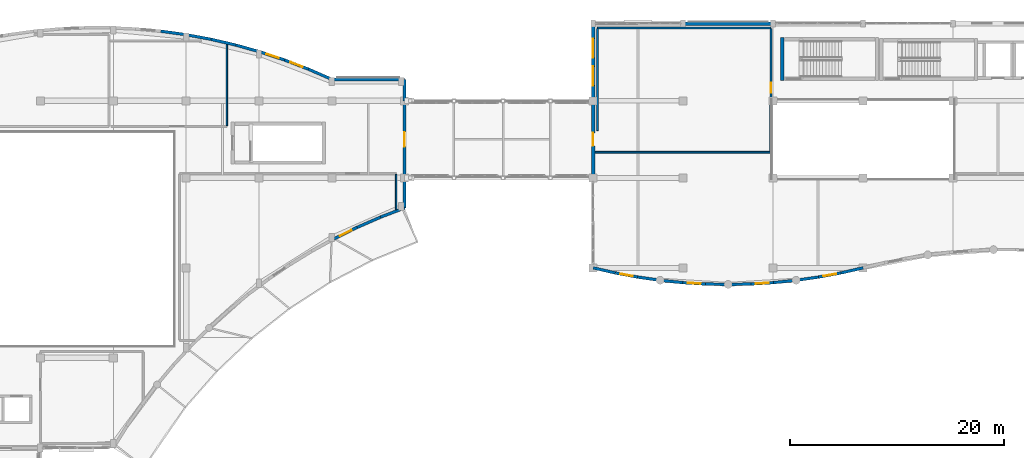
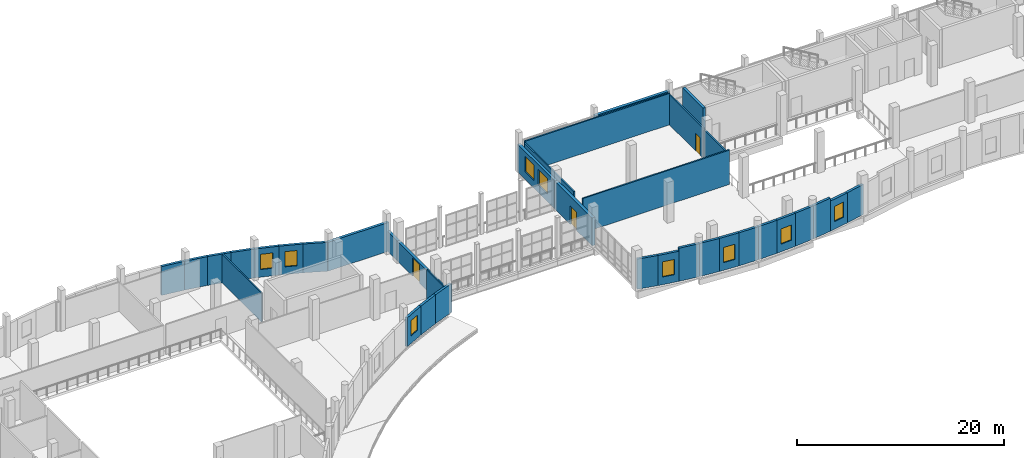
# One storey, part 87 of 106: 37 walls, 9 windows, 3 doors, 12 openings.
"""IFC4 building model written with IfcOpenShell, lengths in metres."""

from ifc_helpers import new_model, si_unit, direction, frame, frame_2d, origin, place, context, subcontext, project, spatial, rectangle, extrude, material, layer, layer_set, type_object, element, fill, save


model = new_model("IFC4")

# Units and contexts
model_context = context("Model", 3, precision=1e-05, world=origin(), true_north=direction((0.0, 1.0)))
body_context = subcontext(model_context, "Body", "Model", "MODEL_VIEW")
ifc_project = project(units=[si_unit("LENGTHUNIT", "METRE"), si_unit("AREAUNIT", "SQUARE_METRE"), si_unit("VOLUMEUNIT", "CUBIC_METRE"), si_unit("PLANEANGLEUNIT", "RADIAN"), si_unit("MASSUNIT", "GRAM", prefix="KILO")], contexts=[model_context])

# Site, building, storey
site_placement = place(None, origin())
site = spatial("IfcSite", under=ifc_project, at=site_placement, CompositionType="ELEMENT")
building_placement = place(site_placement, origin())
building = spatial("IfcBuilding", under=site, at=building_placement, Name="Kisaragi Civic Commons", CompositionType="ELEMENT")
storey_placement = place(building_placement, frame((0.0, 0.0, 4.800048828125)))
storey = spatial("IfcBuildingStorey", under=building, at=storey_placement, Name="L01", CompositionType="ELEMENT", Elevation=4.800048828125)

# Wall
ifc_material_1 = material(Name="Insulated Tokoname terracotta cavity wall", Category="masonry")
ifc_layer_1 = layer(ifc_material_1, 0.320068359375, Name="Insulated Tokoname terracotta cavity wall", Category="masonry")
ifc_layer_set_1 = layer_set([ifc_layer_1], Name="Insulated Tokoname terracotta cavity wall")
wall_type_1 = type_object("IfcWallType", Name="EW-01", PredefinedType="STANDARD", material=ifc_layer_set_1)
wall_1_placement = place(storey_placement, frame((80.39990234375, 118.800048828125, 0.0), z_axis=(0.0, 0.0, 1.0), x_axis=(1.0, 0.0, 0.0)))
element("IfcWall", 1, at=wall_1_placement, inside=storey, type_object=wall_type_1, Name="V4 L01 exterior terracotta wall EW-01 315", PredefinedType="STANDARD", context=body_context, shape_type="SweptSolid", body=[
    extrude(rectangle(XDim=8.400146484375, YDim=0.320068359375, at=frame_2d((4.2001953125, 0.0))), origin(), (0.0, 0.0, 1.0), 3.704833984375),
])

# Wall, opening, door
wall_2_placement = place(storey_placement, frame((72.0, 104.39990234375, 0.0), z_axis=(0.0, 0.0, 1.0), x_axis=(0.0, 1.0, 0.0)))
wall_2 = element("IfcWall", 2, at=wall_2_placement, inside=storey, type_object=wall_type_1, Name="V4 L01 exterior terracotta wall EW-01 344", PredefinedType="STANDARD", context=body_context, shape_type="SweptSolid", body=[
    extrude(rectangle(XDim=7.2001953125, YDim=0.320068359375, at=frame_2d((3.60009765625, 0.0))), origin(), (0.0, 0.0, 1.0), 3.284912109375),
])
opening_1_placement = place(wall_2_placement, frame((3.0, 0.0, 0.0)))
opening_1 = element("IfcOpeningElement", 3, at=opening_1_placement, cuts=wall_2, Name="Opening TD-01", PredefinedType="OPENING", context=body_context, shape_type="SweptSolid", body=[
    extrude(rectangle(XDim=1.199951171875, YDim=2.14990234375, at=frame_2d((0.60009765625, 1.074951171875))), frame((0.0, 0.169921875, 0.0), z_axis=(0.0, -1.0, 0.0), x_axis=(1.0, 0.0, 0.0)), (0.0, 0.0, 1.0), 0.340087890625),
])
ifc_material_2 = material(Name="Thermally broken anodized aluminium glazed exit door", Category="aluminium")
door_type_1 = type_object("IfcDoorType", Name="TD-01", OperationType="NOTDEFINED", PredefinedType="DOOR", material=ifc_material_2)
door_1_placement = place(opening_1_placement, origin())
door_1 = element("IfcDoor", 4, at=door_1_placement, inside=storey, type_object=door_type_1, Name="V4 L01 terrace access door 04", OperationType="SINGLE_SWING_LEFT", OverallHeight=2.14990234375, OverallWidth=1.199951171875, PredefinedType="DOOR", context=body_context, shape_type="SweptSolid", body=[
    extrude(rectangle(XDim=1.199951171875, YDim=2.14990234375, at=frame_2d((0.60009765625, 1.074951171875))), frame((0.0, 0.02490234375, 0.0), z_axis=(0.0, -1.0, 0.0), x_axis=(1.0, 0.0, 0.0)), (0.0, 0.0, 1.0), 0.050048828125),
])
fill(opening_1, door_1)

# Wall, openings, windows
wall_3_placement = place(storey_placement, frame((72.0, 111.60009765625, 0.0), z_axis=(0.0, 0.0, 1.0), x_axis=(0.0, 1.0, 0.0)))
wall_3 = element("IfcWall", 5, at=wall_3_placement, inside=storey, type_object=wall_type_1, Name="V4 L01 exterior terracotta wall EW-01 345", PredefinedType="STANDARD", context=body_context, shape_type="SweptSolid", body=[
    extrude(rectangle(XDim=7.199951171875, YDim=0.320068359375, at=frame_2d((3.60009765625, 0.0))), origin(), (0.0, 0.0, 1.0), 3.284912109375),
])
opening_2_placement = place(wall_3_placement, frame((1.404052734375, 0.0, 0.89990234375)))
opening_2 = element("IfcOpeningElement", 6, at=opening_2_placement, cuts=wall_3, Name="Opening W-01", PredefinedType="OPENING", context=body_context, shape_type="SweptSolid", body=[
    extrude(rectangle(XDim=1.800048828125, YDim=1.800048828125, at=frame_2d((0.89990234375, 0.89990234375))), frame((0.0, 0.169921875, 0.0), z_axis=(0.0, -1.0, 0.0), x_axis=(1.0, 0.0, 0.0)), (0.0, 0.0, 1.0), 0.340087890625),
])
opening_3_placement = place(wall_3_placement, frame((3.99609375, 0.0, 0.89990234375)))
opening_3 = element("IfcOpeningElement", 7, at=opening_3_placement, cuts=wall_3, Name="Opening W-01", PredefinedType="OPENING", context=body_context, shape_type="SweptSolid", body=[
    extrude(rectangle(XDim=1.800048828125, YDim=1.800048828125, at=frame_2d((0.89990234375, 0.89990234375))), frame((0.0, 0.169921875, 0.0), z_axis=(0.0, -1.0, 0.0), x_axis=(1.0, 0.0, 0.0)), (0.0, 0.0, 1.0), 0.340087890625),
])
ifc_material_3 = material(Name="Thermally broken aluminium frame and low-E argon double glazing", Category="aluminium")
window_type_1 = type_object("IfcWindowType", Name="W-01", PartitioningType="SINGLE_PANEL", PredefinedType="WINDOW", material=ifc_material_3)
window_1_placement = place(opening_2_placement, origin())
window_1 = element("IfcWindow", 8, at=window_1_placement, inside=storey, type_object=window_type_1, Name="V4 L01 window W-01 117", OverallHeight=1.800048828125, OverallWidth=1.800048828125, PartitioningType="SINGLE_PANEL", PredefinedType="WINDOW", context=body_context, shape_type="SweptSolid", body=[
    extrude(rectangle(XDim=1.800048828125, YDim=1.800048828125, at=frame_2d((0.89990234375, 0.89990234375))), frame((0.0, 0.030029296875, 0.0), z_axis=(0.0, -1.0, 0.0), x_axis=(1.0, 0.0, 0.0)), (0.0, 0.0, 1.0), 0.06005859375),
])
fill(opening_2, window_1)
window_2_placement = place(opening_3_placement, origin())
window_2 = element("IfcWindow", 9, at=window_2_placement, inside=storey, type_object=window_type_1, Name="V4 L01 window W-01 118", OverallHeight=1.800048828125, OverallWidth=1.800048828125, PartitioningType="SINGLE_PANEL", PredefinedType="WINDOW", context=body_context, shape_type="SweptSolid", body=[
    extrude(rectangle(XDim=1.800048828125, YDim=1.800048828125, at=frame_2d((0.89990234375, 0.89990234375))), frame((0.0, 0.030029296875, 0.0), z_axis=(0.0, -1.0, 0.0), x_axis=(1.0, 0.0, 0.0)), (0.0, 0.0, 1.0), 0.06005859375),
])
fill(opening_3, window_2)

# Wall
ifc_layer_2 = layer(ifc_material_1, 0.2900390625, Name="Insulated Tokoname terracotta cavity wall", Category="masonry")
ifc_layer_set_2 = layer_set([ifc_layer_2], Name="Insulated Tokoname terracotta cavity wall")
wall_type_2 = type_object("IfcWallType", Name="EW-03", PredefinedType="STANDARD", material=ifc_layer_set_2)
wall_4_placement = place(storey_placement, frame((47.60009765625, 113.60009765625, 0.0), z_axis=(0.0, 0.0, 1.0), x_axis=(1.0, 0.0, 0.0)))
element("IfcWall", 10, at=wall_4_placement, inside=storey, type_object=wall_type_2, Name="V2 L01 exterior terracotta wall EW-03 217", PredefinedType="STANDARD", context=body_context, shape_type="SweptSolid", body=[
    extrude(rectangle(XDim=6.7998046875, YDim=0.2900390625, at=frame_2d((3.39990234375, 0.0))), origin(), (0.0, 0.0, 1.0), 3.405029296875),
])

# Wall, opening, door
wall_5_placement = place(storey_placement, frame((54.39990234375, 111.60009765625, 0.0), z_axis=(0.0, 0.0, 1.0), x_axis=(0.0, -1.0, 0.0)))
wall_5 = element("IfcWall", 11, at=wall_5_placement, inside=storey, type_object=wall_type_2, Name="V2 L01 exterior terracotta wall EW-03 219", PredefinedType="STANDARD", context=body_context, shape_type="SweptSolid", body=[
    extrude(rectangle(XDim=7.2001953125, YDim=0.2900390625, at=frame_2d((3.60009765625, 0.0))), origin(), (0.0, 0.0, 1.0), 2.369873046875),
])
opening_4_placement = place(wall_5_placement, frame((2.925048828125, 0.0, 0.0)))
opening_4 = element("IfcOpeningElement", 12, at=opening_4_placement, cuts=wall_5, Name="Opening TD-03", PredefinedType="OPENING", context=body_context, shape_type="SweptSolid", body=[
    extrude(rectangle(XDim=1.35009765625, YDim=2.14990234375, at=frame_2d((0.675048828125, 1.074951171875))), frame((0.0, 0.155029296875, 0.0), z_axis=(0.0, -1.0, 0.0), x_axis=(1.0, 0.0, 0.0)), (0.0, 0.0, 1.0), 0.31005859375),
])
door_type_2 = type_object("IfcDoorType", Name="TD-03", OperationType="NOTDEFINED", PredefinedType="DOOR", material=ifc_material_2)
door_2_placement = place(opening_4_placement, origin())
door_2 = element("IfcDoor", 13, at=door_2_placement, inside=storey, type_object=door_type_2, Name="V2 L01 terrace access door 03", OperationType="SINGLE_SWING_RIGHT", OverallHeight=2.14990234375, OverallWidth=1.35009765625, PredefinedType="DOOR", context=body_context, shape_type="SweptSolid", body=[
    extrude(rectangle(XDim=1.35009765625, YDim=2.14990234375, at=frame_2d((0.675048828125, 1.074951171875))), frame((0.0, 0.02490234375, 0.0), z_axis=(0.0, -1.0, 0.0), x_axis=(1.0, 0.0, 0.0)), (0.0, 0.0, 1.0), 0.050048828125),
])
fill(opening_4, door_2)

# Walls
ifc_layer_3 = layer(ifc_material_1, 0.26806640625, Name="Insulated Tokoname terracotta cavity wall", Category="masonry")
ifc_layer_set_3 = layer_set([ifc_layer_3], Name="Insulated Tokoname terracotta cavity wall")
wall_type_3 = type_object("IfcWallType", Name="EW-04", PredefinedType="STANDARD", material=ifc_layer_set_3)
for number, where, z_axis, x_axis, name in (
    (14, (31.6357421875, 118.0966796875, 0.0), (0.0, 0.0, 1.0), (0.990587574889, -0.136880445919, 0.0), "V2 L01 exterior terracotta wall EW-04 210"),
    (15, (33.99267578125, 117.77099609375, 0.0), (0.0, 0.0, 1.0), (0.983293570228, -0.182026796784, 0.0), "V2 L01 exterior terracotta wall EW-04 211"),
):
    element("IfcWall", number, at=place(storey_placement, frame(where, z_axis=z_axis, x_axis=x_axis)), inside=storey, type_object=wall_type_3, Name=name, PredefinedType="STANDARD", context=body_context, shape_type="SweptSolid", body=[
        extrude(rectangle(XDim=2.37939453125, YDim=0.26806640625, at=frame_2d((1.189697265625, 0.0))), origin(), (0.0, 0.0, 1.0), 3.405029296875),
    ])
wall_6_placement = place(storey_placement, frame((36.332275390625, 117.337890625, 0.0), z_axis=(0.0, 0.0, 1.0), x_axis=(0.97394480738, -0.226785167454, 0.0)))
element("IfcWall", 16, at=wall_6_placement, inside=storey, type_object=wall_type_3, Name="V2 L01 exterior terracotta wall EW-04 212", PredefinedType="STANDARD", context=body_context, shape_type="SweptSolid", body=[
    extrude(rectangle(XDim=2.379150390625, YDim=0.26806640625, at=frame_2d((1.189453125, 0.0))), origin(), (0.0, 0.0, 1.0), 3.405029296875),
])
wall_7_placement = place(storey_placement, frame((38.6494140625, 116.79833984375, 0.0), z_axis=(0.0, 0.0, 1.0), x_axis=(0.962554772645, -0.27108727314, 0.0)))
element("IfcWall", 17, at=wall_7_placement, inside=storey, type_object=wall_type_3, Name="V2 L01 exterior terracotta wall EW-04 213", PredefinedType="STANDARD", context=body_context, shape_type="SweptSolid", body=[
    extrude(rectangle(XDim=2.37939453125, YDim=0.26806640625, at=frame_2d((1.189697265625, 0.0))), origin(), (0.0, 0.0, 1.0), 3.405029296875),
])

# Wall, opening, window
wall_8_placement = place(storey_placement, frame((40.939697265625, 116.1533203125, 0.0), z_axis=(0.0, 0.0, 1.0), x_axis=(0.949123588858, -0.31490381559, 0.0)))
wall_8 = element("IfcWall", 18, at=wall_8_placement, inside=storey, type_object=wall_type_3, Name="V2 L01 exterior terracotta wall EW-04 214", PredefinedType="STANDARD", context=body_context, shape_type="SweptSolid", body=[
    extrude(rectangle(XDim=2.37939453125, YDim=0.26806640625, at=frame_2d((1.189697265625, 0.0))), origin(), (0.0, 0.0, 1.0), 3.405029296875),
])
opening_5_placement = place(wall_8_placement, frame((0.589599609375, 0.0, 0.89990234375)))
opening_5 = element("IfcOpeningElement", 19, at=opening_5_placement, cuts=wall_8, Name="Opening W-05", PredefinedType="OPENING", context=body_context, shape_type="SweptSolid", body=[
    extrude(rectangle(XDim=1.199951171875, YDim=1.800048828125, at=frame_2d((0.60009765625, 0.89990234375))), frame((0.0, 0.14404296875, 0.0), z_axis=(0.0, -1.0, 0.0), x_axis=(1.0, 0.0, 0.0)), (0.0, 0.0, 1.0), 0.2880859375),
])
window_type_2 = type_object("IfcWindowType", Name="W-05", PartitioningType="SINGLE_PANEL", PredefinedType="WINDOW", material=ifc_material_3)
window_3_placement = place(opening_5_placement, origin())
window_3 = element("IfcWindow", 20, at=window_3_placement, inside=storey, type_object=window_type_2, Name="V2 L01 window W-05 66", OverallHeight=1.800048828125, OverallWidth=1.199951171875, PartitioningType="SINGLE_PANEL", PredefinedType="WINDOW", context=body_context, shape_type="SweptSolid", body=[
    extrude(rectangle(XDim=1.199951171875, YDim=1.800048828125, at=frame_2d((0.60009765625, 0.89990234375))), frame((0.0, 0.030029296875, 0.0), z_axis=(0.0, -1.0, 0.0), x_axis=(1.0, 0.0, 0.0)), (0.0, 0.0, 1.0), 0.06005859375),
])
fill(opening_5, window_3)

wall_9_placement = place(storey_placement, frame((43.197998046875, 115.404052734375, 0.0), z_axis=(0.0, 0.0, 1.0), x_axis=(0.933757548391, -0.357906189977, 0.0)))
wall_9 = element("IfcWall", 21, at=wall_9_placement, inside=storey, type_object=wall_type_3, Name="V2 L01 exterior terracotta wall EW-04 215", PredefinedType="STANDARD", context=body_context, shape_type="SweptSolid", body=[
    extrude(rectangle(XDim=2.37939453125, YDim=0.26806640625, at=frame_2d((1.189697265625, 0.0))), origin(), (0.0, 0.0, 1.0), 3.405029296875),
])
opening_6_placement = place(wall_9_placement, frame((0.589599609375, 0.0, 0.89990234375)))
opening_6 = element("IfcOpeningElement", 22, at=opening_6_placement, cuts=wall_9, Name="Opening W-05", PredefinedType="OPENING", context=body_context, shape_type="SweptSolid", body=[
    extrude(rectangle(XDim=1.199951171875, YDim=1.800048828125, at=frame_2d((0.60009765625, 0.89990234375))), frame((0.0, 0.14404296875, 0.0), z_axis=(0.0, -1.0, 0.0), x_axis=(1.0, 0.0, 0.0)), (0.0, 0.0, 1.0), 0.2880859375),
])
window_4_placement = place(opening_6_placement, origin())
window_4 = element("IfcWindow", 23, at=window_4_placement, inside=storey, type_object=window_type_2, Name="V2 L01 window W-05 67", OverallHeight=1.800048828125, OverallWidth=1.199951171875, PartitioningType="SINGLE_PANEL", PredefinedType="WINDOW", context=body_context, shape_type="SweptSolid", body=[
    extrude(rectangle(XDim=1.199951171875, YDim=1.800048828125, at=frame_2d((0.60009765625, 0.89990234375))), frame((0.0, 0.030029296875, 0.0), z_axis=(0.0, -1.0, 0.0), x_axis=(1.0, 0.0, 0.0)), (0.0, 0.0, 1.0), 0.06005859375),
])
fill(opening_6, window_4)

# Walls
wall_10_placement = place(storey_placement, frame((45.419677734375, 114.552490234375, 0.0), z_axis=(0.0, 0.0, 1.0), x_axis=(0.916395023077, -0.400275107494, 0.0)))
element("IfcWall", 24, at=wall_10_placement, inside=storey, type_object=wall_type_3, Name="V2 L01 exterior terracotta wall EW-04 216", PredefinedType="STANDARD", context=body_context, shape_type="SweptSolid", body=[
    extrude(rectangle(XDim=2.37939453125, YDim=0.26806640625, at=frame_2d((1.189697265625, 0.0))), origin(), (0.0, 0.0, 1.0), 3.405029296875),
])
wall_11_placement = place(storey_placement, frame((54.39990234375, 113.60009765625, 0.0), z_axis=(0.0, 0.0, 1.0), x_axis=(0.0, -1.0, 0.0)))
element("IfcWall", 25, at=wall_11_placement, inside=storey, type_object=wall_type_3, Name="V2 L01 exterior terracotta wall EW-04 218", PredefinedType="STANDARD", context=body_context, shape_type="SweptSolid", body=[
    extrude(rectangle(XDim=2.0, YDim=0.26806640625, at=frame_2d((1.0, 0.0))), origin(), (0.0, 0.0, 1.0), 2.369873046875),
])
wall_12_placement = place(storey_placement, frame((54.39990234375, 104.39990234375, 0.0), z_axis=(0.0, 0.0, 1.0), x_axis=(0.0, -1.0, 0.0)))
element("IfcWall", 26, at=wall_12_placement, inside=storey, type_object=wall_type_3, Name="V2 L01 exterior terracotta wall EW-04 220", PredefinedType="STANDARD", context=body_context, shape_type="SweptSolid", body=[
    extrude(rectangle(XDim=2.7998046875, YDim=0.26806640625, at=frame_2d((1.39990234375, 0.0))), origin(), (0.0, 0.0, 1.0), 2.369873046875),
])
for number, where, z_axis, x_axis, name in (
    (27, (54.39990234375, 101.60009765625, 0.0), (0.0, 0.0, 1.0), (-0.933639383076, -0.358214324629, 0.0), "V2 L01 exterior terracotta wall EW-04 221"),
    (28, (52.16259765625, 100.74169921875, 0.0), (0.0, 0.0, 1.0), (-0.916157334902, -0.40081883402, 0.0), "V2 L01 exterior terracotta wall EW-04 222"),
):
    element("IfcWall", number, at=place(storey_placement, frame(where, z_axis=z_axis, x_axis=x_axis)), inside=storey, type_object=wall_type_3, Name=name, PredefinedType="STANDARD", context=body_context, shape_type="SweptSolid", body=[
        extrude(rectangle(XDim=2.396240234375, YDim=0.26806640625, at=frame_2d((1.1982421875, 0.0))), origin(), (0.0, 0.0, 1.0), 3.405029296875),
    ])

# Wall, opening, window
wall_13_placement = place(storey_placement, frame((49.96728515625, 99.78125, 0.0), z_axis=(0.0, 0.0, 1.0), x_axis=(-0.896737964663, -0.442561885764, 0.0)))
wall_13 = element("IfcWall", 29, at=wall_13_placement, inside=storey, type_object=wall_type_3, Name="V2 L01 exterior terracotta wall EW-04 223", PredefinedType="STANDARD", context=body_context, shape_type="SweptSolid", body=[
    extrude(rectangle(XDim=2.396484375, YDim=0.26806640625, at=frame_2d((1.1982421875, 0.0))), origin(), (0.0, 0.0, 1.0), 3.405029296875),
])
opening_7_placement = place(wall_13_placement, frame((0.59814453125, 0.0, 0.89990234375)))
opening_7 = element("IfcOpeningElement", 30, at=opening_7_placement, cuts=wall_13, Name="Opening W-05", PredefinedType="OPENING", context=body_context, shape_type="SweptSolid", body=[
    extrude(rectangle(XDim=1.199951171875, YDim=1.800048828125, at=frame_2d((0.60009765625, 0.89990234375))), frame((0.0, 0.14404296875, 0.0), z_axis=(0.0, -1.0, 0.0), x_axis=(1.0, 0.0, 0.0)), (0.0, 0.0, 1.0), 0.2880859375),
])
window_5_placement = place(opening_7_placement, origin())
window_5 = element("IfcWindow", 31, at=window_5_placement, inside=storey, type_object=window_type_2, Name="V2 L01 window W-05 68", OverallHeight=1.800048828125, OverallWidth=1.199951171875, PartitioningType="SINGLE_PANEL", PredefinedType="WINDOW", context=body_context, shape_type="SweptSolid", body=[
    extrude(rectangle(XDim=1.199951171875, YDim=1.800048828125, at=frame_2d((0.60009765625, 0.89990234375))), frame((0.0, 0.030029296875, 0.0), z_axis=(0.0, -1.0, 0.0), x_axis=(1.0, 0.0, 0.0)), (0.0, 0.0, 1.0), 0.06005859375),
])
fill(opening_7, window_5)

# Wall
wall_14_placement = place(storey_placement, frame((97.199951171875, 96.0, 0.0), z_axis=(0.0, 0.0, 1.0), x_axis=(-0.974933461124, -0.222496621057, 0.0)))
element("IfcWall", 32, at=wall_14_placement, inside=storey, type_object=wall_type_3, Name="V4 L01 exterior terracotta wall EW-04 332", PredefinedType="STANDARD", context=body_context, shape_type="SweptSolid", body=[
    extrude(rectangle(XDim=2.12109375, YDim=0.26806640625, at=frame_2d((1.060546875, 0.0))), origin(), (0.0, 0.0, 1.0), 3.554931640625),
])

# Wall, opening, window
wall_15_placement = place(storey_placement, frame((95.132080078125, 95.528076171875, 0.0), z_axis=(0.0, 0.0, 1.0), x_axis=(-0.983213231288, -0.18246024723, 0.0)))
wall_15 = element("IfcWall", 33, at=wall_15_placement, inside=storey, type_object=wall_type_3, Name="V4 L01 exterior terracotta wall EW-04 333", PredefinedType="STANDARD", context=body_context, shape_type="SweptSolid", body=[
    extrude(rectangle(XDim=2.120849609375, YDim=0.26806640625, at=frame_2d((1.060546875, 0.0))), origin(), (0.0, 0.0, 1.0), 3.554931640625),
])
opening_8_placement = place(wall_15_placement, frame((0.46044921875, 0.0, 0.89990234375)))
opening_8 = element("IfcOpeningElement", 34, at=opening_8_placement, cuts=wall_15, Name="Opening W-05", PredefinedType="OPENING", context=body_context, shape_type="SweptSolid", body=[
    extrude(rectangle(XDim=1.199951171875, YDim=1.800048828125, at=frame_2d((0.60009765625, 0.89990234375))), frame((0.0, 0.14404296875, 0.0), z_axis=(0.0, -1.0, 0.0), x_axis=(1.0, 0.0, 0.0)), (0.0, 0.0, 1.0), 0.2880859375),
])
window_6_placement = place(opening_8_placement, origin())
window_6 = element("IfcWindow", 35, at=window_6_placement, inside=storey, type_object=window_type_2, Name="V4 L01 window W-05 113", OverallHeight=1.800048828125, OverallWidth=1.199951171875, PartitioningType="SINGLE_PANEL", PredefinedType="WINDOW", context=body_context, shape_type="SweptSolid", body=[
    extrude(rectangle(XDim=1.199951171875, YDim=1.800048828125, at=frame_2d((0.60009765625, 0.89990234375))), frame((0.0, 0.030029296875, 0.0), z_axis=(0.0, -1.0, 0.0), x_axis=(1.0, 0.0, 0.0)), (0.0, 0.0, 1.0), 0.06005859375),
])
fill(opening_8, window_6)

# Walls
for number, where, z_axis, x_axis, name in (
    (36, (93.046875, 95.14111328125, 0.0), (0.0, 0.0, 1.0), (-0.989810892254, -0.142388193245, 0.0), "V4 L01 exterior terracotta wall EW-04 334"),
    (37, (90.947509765625, 94.839111328125, 0.0), (0.0, 0.0, 1.0), (-0.994810155403, -0.10174848749, 0.0), "V4 L01 exterior terracotta wall EW-04 335"),
):
    element("IfcWall", number, at=place(storey_placement, frame(where, z_axis=z_axis, x_axis=x_axis)), inside=storey, type_object=wall_type_3, Name=name, PredefinedType="STANDARD", context=body_context, shape_type="SweptSolid", body=[
        extrude(rectangle(XDim=2.12109375, YDim=0.26806640625, at=frame_2d((1.060546875, 0.0))), origin(), (0.0, 0.0, 1.0), 3.905029296875),
    ])

# Wall, opening, window
wall_16_placement = place(storey_placement, frame((88.83740234375, 94.623291015625, 0.0), z_axis=(0.0, 0.0, 1.0), x_axis=(-0.998130173714, -0.061124105898, 0.0)))
wall_16 = element("IfcWall", 38, at=wall_16_placement, inside=storey, type_object=wall_type_3, Name="V4 L01 exterior terracotta wall EW-04 336", PredefinedType="STANDARD", context=body_context, shape_type="SweptSolid", body=[
    extrude(rectangle(XDim=2.120849609375, YDim=0.26806640625, at=frame_2d((1.060546875, 0.0))), origin(), (0.0, 0.0, 1.0), 3.905029296875),
])
opening_9_placement = place(wall_16_placement, frame((0.46044921875, 0.0, 0.89990234375)))
opening_9 = element("IfcOpeningElement", 39, at=opening_9_placement, cuts=wall_16, Name="Opening W-05", PredefinedType="OPENING", context=body_context, shape_type="SweptSolid", body=[
    extrude(rectangle(XDim=1.199951171875, YDim=1.800048828125, at=frame_2d((0.60009765625, 0.89990234375))), frame((0.0, 0.14404296875, 0.0), z_axis=(0.0, -1.0, 0.0), x_axis=(1.0, 0.0, 0.0)), (0.0, 0.0, 1.0), 0.2880859375),
])
window_7_placement = place(opening_9_placement, origin())
window_7 = element("IfcWindow", 40, at=window_7_placement, inside=storey, type_object=window_type_2, Name="V4 L01 window W-05 114", OverallHeight=1.800048828125, OverallWidth=1.199951171875, PartitioningType="SINGLE_PANEL", PredefinedType="WINDOW", context=body_context, shape_type="SweptSolid", body=[
    extrude(rectangle(XDim=1.199951171875, YDim=1.800048828125, at=frame_2d((0.60009765625, 0.89990234375))), frame((0.0, 0.030029296875, 0.0), z_axis=(0.0, -1.0, 0.0), x_axis=(1.0, 0.0, 0.0)), (0.0, 0.0, 1.0), 0.06005859375),
])
fill(opening_9, window_7)

# Walls
wall_17_placement = place(storey_placement, frame((86.720458984375, 94.49365234375, 0.0), z_axis=(0.0, 0.0, 1.0), x_axis=(-0.999792393173, -0.020375734438, 0.0)))
element("IfcWall", 41, at=wall_17_placement, inside=storey, type_object=wall_type_3, Name="V4 L01 exterior terracotta wall EW-04 337", PredefinedType="STANDARD", context=body_context, shape_type="SweptSolid", body=[
    extrude(rectangle(XDim=2.120849609375, YDim=0.26806640625, at=frame_2d((1.060546875, 0.0))), origin(), (0.0, 0.0, 1.0), 3.905029296875),
])
wall_18_placement = place(storey_placement, frame((84.60009765625, 94.450439453125, 0.0), z_axis=(0.0, 0.0, 1.0), x_axis=(-0.999792440958, 0.020373389598, 0.0)))
element("IfcWall", 42, at=wall_18_placement, inside=storey, type_object=wall_type_3, Name="V4 L01 exterior terracotta wall EW-04 338", PredefinedType="STANDARD", context=body_context, shape_type="SweptSolid", body=[
    extrude(rectangle(XDim=2.12109375, YDim=0.26806640625, at=frame_2d((1.060546875, 0.0))), origin(), (0.0, 0.0, 1.0), 3.905029296875),
])

# Wall, opening, window
wall_19_placement = place(storey_placement, frame((82.4794921875, 94.49365234375, 0.0), z_axis=(0.0, 0.0, 1.0), x_axis=(-0.998130173714, 0.061124105898, 0.0)))
wall_19 = element("IfcWall", 43, at=wall_19_placement, inside=storey, type_object=wall_type_3, Name="V4 L01 exterior terracotta wall EW-04 339", PredefinedType="STANDARD", context=body_context, shape_type="SweptSolid", body=[
    extrude(rectangle(XDim=2.120849609375, YDim=0.26806640625, at=frame_2d((1.060546875, 0.0))), origin(), (0.0, 0.0, 1.0), 3.905029296875),
])
opening_10_placement = place(wall_19_placement, frame((0.46044921875, 0.0, 0.89990234375)))
opening_10 = element("IfcOpeningElement", 44, at=opening_10_placement, cuts=wall_19, Name="Opening W-05", PredefinedType="OPENING", context=body_context, shape_type="SweptSolid", body=[
    extrude(rectangle(XDim=1.199951171875, YDim=1.800048828125, at=frame_2d((0.60009765625, 0.89990234375))), frame((0.0, 0.14404296875, 0.0), z_axis=(0.0, -1.0, 0.0), x_axis=(1.0, 0.0, 0.0)), (0.0, 0.0, 1.0), 0.2880859375),
])
window_8_placement = place(opening_10_placement, origin())
window_8 = element("IfcWindow", 45, at=window_8_placement, inside=storey, type_object=window_type_2, Name="V4 L01 window W-05 115", OverallHeight=1.800048828125, OverallWidth=1.199951171875, PartitioningType="SINGLE_PANEL", PredefinedType="WINDOW", context=body_context, shape_type="SweptSolid", body=[
    extrude(rectangle(XDim=1.199951171875, YDim=1.800048828125, at=frame_2d((0.60009765625, 0.89990234375))), frame((0.0, 0.030029296875, 0.0), z_axis=(0.0, -1.0, 0.0), x_axis=(1.0, 0.0, 0.0)), (0.0, 0.0, 1.0), 0.06005859375),
])
fill(opening_10, window_8)

# Walls
for number, where, z_axis, x_axis, name in (
    (46, (80.362548828125, 94.623291015625, 0.0), (0.0, 0.0, 1.0), (-0.994810155403, 0.10174848749, 0.0), "V4 L01 exterior terracotta wall EW-04 340"),
    (47, (78.25244140625, 94.839111328125, 0.0), (0.0, 0.0, 1.0), (-0.989810892254, 0.142388193245, 0.0), "V4 L01 exterior terracotta wall EW-04 341"),
):
    element("IfcWall", number, at=place(storey_placement, frame(where, z_axis=z_axis, x_axis=x_axis)), inside=storey, type_object=wall_type_3, Name=name, PredefinedType="STANDARD", context=body_context, shape_type="SweptSolid", body=[
        extrude(rectangle(XDim=2.12109375, YDim=0.26806640625, at=frame_2d((1.060546875, 0.0))), origin(), (0.0, 0.0, 1.0), 3.905029296875),
    ])

# Wall, opening, window
wall_20_placement = place(storey_placement, frame((76.153076171875, 95.14111328125, 0.0), z_axis=(0.0, 0.0, 1.0), x_axis=(-0.983213231288, 0.18246024723, 0.0)))
wall_20 = element("IfcWall", 48, at=wall_20_placement, inside=storey, type_object=wall_type_3, Name="V4 L01 exterior terracotta wall EW-04 342", PredefinedType="STANDARD", context=body_context, shape_type="SweptSolid", body=[
    extrude(rectangle(XDim=2.120849609375, YDim=0.26806640625, at=frame_2d((1.060546875, 0.0))), origin(), (0.0, 0.0, 1.0), 3.554931640625),
])
opening_11_placement = place(wall_20_placement, frame((0.46044921875, 0.0, 0.89990234375)))
opening_11 = element("IfcOpeningElement", 49, at=opening_11_placement, cuts=wall_20, Name="Opening W-05", PredefinedType="OPENING", context=body_context, shape_type="SweptSolid", body=[
    extrude(rectangle(XDim=1.199951171875, YDim=1.800048828125, at=frame_2d((0.60009765625, 0.89990234375))), frame((0.0, 0.14404296875, 0.0), z_axis=(0.0, -1.0, 0.0), x_axis=(1.0, 0.0, 0.0)), (0.0, 0.0, 1.0), 0.2880859375),
])
window_9_placement = place(opening_11_placement, origin())
window_9 = element("IfcWindow", 50, at=window_9_placement, inside=storey, type_object=window_type_2, Name="V4 L01 window W-05 116", OverallHeight=1.800048828125, OverallWidth=1.199951171875, PartitioningType="SINGLE_PANEL", PredefinedType="WINDOW", context=body_context, shape_type="SweptSolid", body=[
    extrude(rectangle(XDim=1.199951171875, YDim=1.800048828125, at=frame_2d((0.60009765625, 0.89990234375))), frame((0.0, 0.030029296875, 0.0), z_axis=(0.0, -1.0, 0.0), x_axis=(1.0, 0.0, 0.0)), (0.0, 0.0, 1.0), 0.06005859375),
])
fill(opening_11, window_9)

# Walls
wall_21_placement = place(storey_placement, frame((74.06787109375, 95.528076171875, 0.0), z_axis=(0.0, 0.0, 1.0), x_axis=(-0.974933461124, 0.222496621057, 0.0)))
element("IfcWall", 51, at=wall_21_placement, inside=storey, type_object=wall_type_3, Name="V4 L01 exterior terracotta wall EW-04 343", PredefinedType="STANDARD", context=body_context, shape_type="SweptSolid", body=[
    extrude(rectangle(XDim=2.12109375, YDim=0.26806640625, at=frame_2d((1.060546875, 0.0))), origin(), (0.0, 0.0, 1.0), 3.554931640625),
])
ifc_material_4 = material(Name="Acoustic gypsum board on light-gauge steel studs", Category="steel")
ifc_layer_4 = layer(ifc_material_4, 0.137939453125, Name="Acoustic gypsum board on light-gauge steel studs", Category="steel")
ifc_layer_set_4 = layer_set([ifc_layer_4], Name="Acoustic gypsum board on light-gauge steel studs")
wall_type_4 = type_object("IfcWallType", Name="IW-02", PredefinedType="STANDARD", material=ifc_layer_set_4)
wall_22_placement = place(storey_placement, frame((53.60009765625, 104.72509765625, 0.0), z_axis=(0.0, 0.0, 1.0), x_axis=(0.0, -1.0, 0.0)))
element("IfcWall", 52, at=wall_22_placement, inside=storey, type_object=wall_type_4, Name="L01 S1-08 partition IW-02 201", PredefinedType="STANDARD", context=body_context, shape_type="SweptSolid", body=[
    extrude(rectangle(XDim=3.2900390625, YDim=0.137939453125, at=frame_2d((1.64501953125, 0.0))), origin(), (0.0, 0.0, 1.0), 3.405029296875),
])
wall_23_placement = place(storey_placement, frame((37.800048828125, 116.854248046875, 0.0), z_axis=(0.0, 0.0, 1.0), x_axis=(0.0, -1.0, 0.0)))
element("IfcWall", 53, at=wall_23_placement, inside=storey, type_object=wall_type_4, Name="L01 S1-03 partition IW-02 231", PredefinedType="STANDARD", context=body_context, shape_type="SweptSolid", body=[
    extrude(rectangle(XDim=7.579345703125, YDim=0.137939453125, at=frame_2d((3.78955078125, 0.0))), origin(), (0.0, 0.0, 1.0), 3.405029296875),
])
ifc_material_5 = material(Name="Slatted Mikawa hinoki acoustic timber partition", Category="wood")
ifc_layer_5 = layer(ifc_material_5, 0.159912109375, Name="Slatted Mikawa hinoki acoustic timber partition", Category="wood")
ifc_layer_set_5 = layer_set([ifc_layer_5], Name="Slatted Mikawa hinoki acoustic timber partition")
wall_type_5 = type_object("IfcWallType", Name="IW-06", PredefinedType="STANDARD", material=ifc_layer_set_5)
wall_24_placement = place(storey_placement, frame((72.405029296875, 118.39990234375, 0.0), z_axis=(0.0, 0.0, 1.0), x_axis=(1.0, 0.0, 0.0)))
element("IfcWall", 54, at=wall_24_placement, inside=storey, type_object=wall_type_5, Name="L01 W1-03 partition IW-06 263", PredefinedType="STANDARD", context=body_context, shape_type="SweptSolid", body=[
    extrude(rectangle(XDim=16.18994140625, YDim=0.159912109375, at=frame_2d((8.094970703125, 0.0))), origin(), (0.0, 0.0, 1.0), 3.704833984375),
])

# Wall, opening, door
wall_25_placement = place(storey_placement, frame((88.60009765625, 118.324951171875, 0.0), z_axis=(0.0, 0.0, 1.0), x_axis=(0.0, -1.0, 0.0)))
wall_25 = element("IfcWall", 55, at=wall_25_placement, inside=storey, type_object=wall_type_5, Name="L01 W1-03 partition IW-06 264", PredefinedType="STANDARD", context=body_context, shape_type="SweptSolid", body=[
    extrude(rectangle(XDim=6.517333984375, YDim=0.159912109375, at=frame_2d((3.2587890625, 0.0))), origin(), (0.0, 0.0, 1.0), 3.554931640625),
])
opening_12_placement = place(wall_25_placement, frame((5.0556640625, 0.0, 0.0)))
opening_12 = element("IfcOpeningElement", 56, at=opening_12_placement, cuts=wall_25, Name="Opening ID-02", PredefinedType="OPENING", context=body_context, shape_type="SweptSolid", body=[
    extrude(rectangle(XDim=0.89990234375, YDim=2.10009765625, at=frame_2d((0.449951171875, 1.050048828125))), frame((0.0, 0.08984375, 0.0), z_axis=(0.0, -1.0, 0.0), x_axis=(1.0, 0.0, 0.0)), (0.0, 0.0, 1.0), 0.179931640625),
])
ifc_material_6 = material(Name="Solid-core Japanese ash acoustic flush timber leaf in steel frame", Category="steel")
door_type_3 = type_object("IfcDoorType", Name="ID-02", OperationType="NOTDEFINED", PredefinedType="DOOR", material=ifc_material_6)
door_3_placement = place(opening_12_placement, origin())
door_3 = element("IfcDoor", 57, at=door_3_placement, inside=storey, type_object=door_type_3, Name="Public Library Reading Room door ID-02", OperationType="SINGLE_SWING_LEFT", OverallHeight=2.10009765625, OverallWidth=0.89990234375, PredefinedType="DOOR", context=body_context, shape_type="SweptSolid", body=[
    extrude(rectangle(XDim=0.89990234375, YDim=2.10009765625, at=frame_2d((0.449951171875, 1.050048828125))), frame((0.0, 0.02490234375, 0.0), z_axis=(0.0, -1.0, 0.0), x_axis=(1.0, 0.0, 0.0)), (0.0, 0.0, 1.0), 0.050048828125),
])
fill(opening_12, door_3)

# Walls
wall_26_placement = place(storey_placement, frame((88.56005859375, 111.52490234375, 0.0), z_axis=(0.0, 0.0, 1.0), x_axis=(0.0, -1.0, 0.0)))
element("IfcWall", 58, at=wall_26_placement, inside=storey, type_object=wall_type_5, Name="L01 W1-03 partition IW-06 265", PredefinedType="STANDARD", context=body_context, shape_type="SweptSolid", body=[
    extrude(rectangle(XDim=4.64990234375, YDim=0.159912109375, at=frame_2d((2.324951171875, 0.0))), origin(), (0.0, 0.0, 1.0), 3.554931640625),
])
wall_27_placement = place(storey_placement, frame((88.554931640625, 106.800048828125, 0.0), z_axis=(0.0, 0.0, 1.0), x_axis=(-1.0, 0.0, 0.0)))
element("IfcWall", 59, at=wall_27_placement, inside=storey, type_object=wall_type_5, Name="L01 W1-03 partition IW-06 266", PredefinedType="STANDARD", context=body_context, shape_type="SweptSolid", body=[
    extrude(rectangle(XDim=16.386962890625, YDim=0.159912109375, at=frame_2d((8.193359375, 0.0))), origin(), (0.0, 0.0, 1.0), 4.054931640625),
])
wall_28_placement = place(storey_placement, frame((72.39990234375, 108.81494140625, 0.0), z_axis=(0.0, 0.0, 1.0), x_axis=(0.0, 1.0, 0.0)))
element("IfcWall", 60, at=wall_28_placement, inside=storey, type_object=wall_type_5, Name="L01 W1-03 partition IW-06 267", PredefinedType="STANDARD", context=body_context, shape_type="SweptSolid", body=[
    extrude(rectangle(XDim=9.510009765625, YDim=0.159912109375, at=frame_2d((4.7548828125, 0.0))), origin(), (0.0, 0.0, 1.0), 3.554931640625),
])
ifc_material_7 = material(Name="Concrete Fc36", Category="concrete")
ifc_layer_6 = layer(ifc_material_7, 0.300048828125, Name="Concrete Fc36", Category="concrete")
ifc_layer_set_6 = layer_set([ifc_layer_6], Name="Concrete Fc36")
wall_type_6 = type_object("IfcWallType", Name="SW-01", PredefinedType="SHEAR", material=ifc_layer_set_6)
wall_29_placement = place(storey_placement, frame((89.64990234375, 117.5, 0.0), z_axis=(0.0, 0.0, 1.0), x_axis=(0.0, -1.0, 0.0)))
element("IfcWall", 61, at=wall_29_placement, inside=storey, type_object=wall_type_6, Name="ST-L4 L01 entry RC shear wall", PredefinedType="SHEAR", context=body_context, shape_type="SweptSolid", body=[
    extrude(rectangle(XDim=4.0, YDim=0.300048828125, at=frame_2d((2.0, 0.0))), origin(), (0.0, 0.0, 1.0), 4.5400390625),
])

save(model, "model.ifc")
